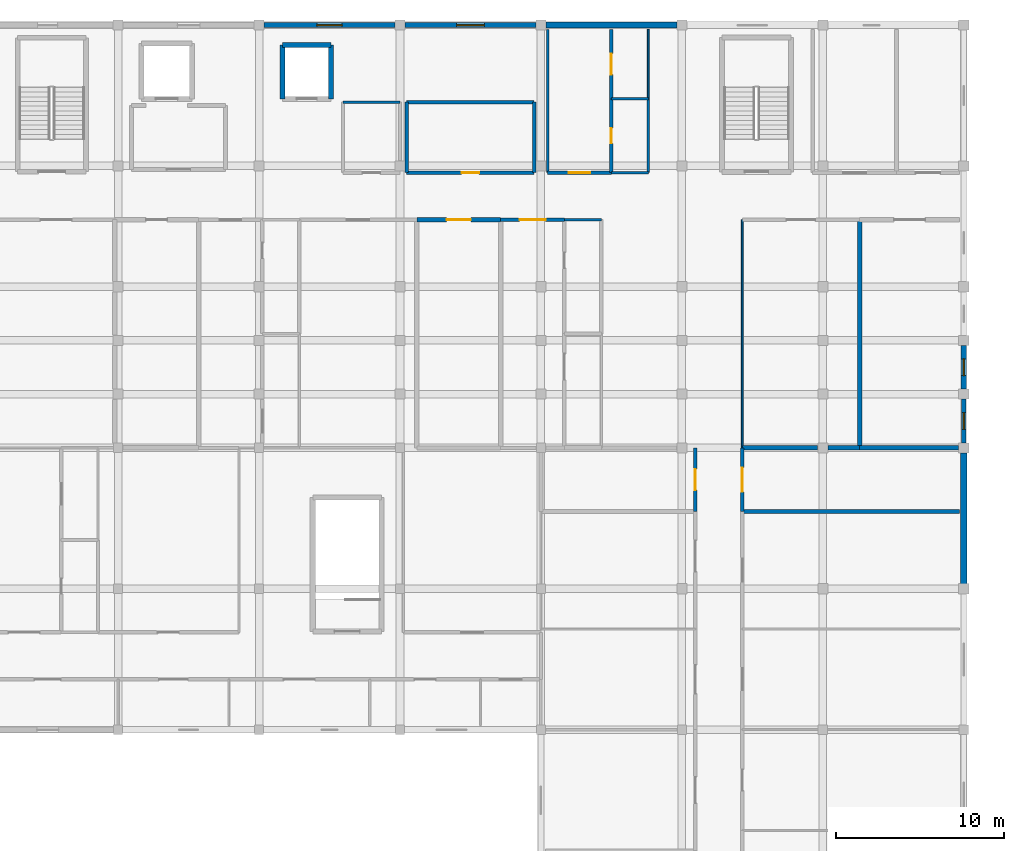
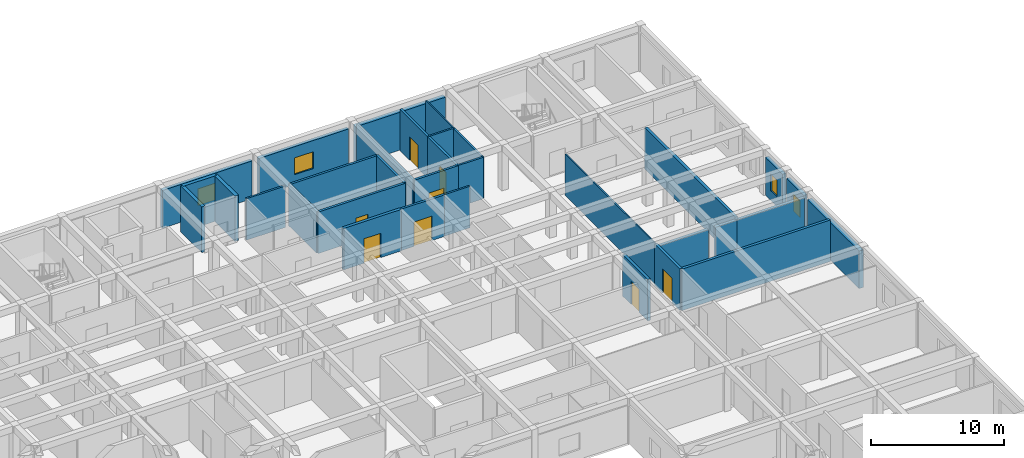
# One storey, part 29 of 42: 33 walls, 8 doors, 4 windows, 12 openings.
"""IFC4 building model written with IfcOpenShell, lengths in metres."""

from ifc_helpers import new_model, si_unit, direction, frame, frame_2d, origin, place, context, subcontext, project, spatial, rectangle, extrude, material, layer, layer_set, type_object, element, fill, save


model = new_model("IFC4")

# Units and contexts
model_context = context("Model", 3, precision=1e-05, world=origin(), true_north=direction((0.0, 1.0)))
body_context = subcontext(model_context, "Body", "Model", "MODEL_VIEW")
ifc_project = project(units=[si_unit("LENGTHUNIT", "METRE"), si_unit("AREAUNIT", "SQUARE_METRE"), si_unit("VOLUMEUNIT", "CUBIC_METRE"), si_unit("PLANEANGLEUNIT", "RADIAN"), si_unit("MASSUNIT", "GRAM", prefix="KILO")], contexts=[model_context])

# Site, building, storey
site_placement = place(None, origin())
site = spatial("IfcSite", under=ifc_project, at=site_placement, CompositionType="ELEMENT")
building_placement = place(site_placement, origin())
building = spatial("IfcBuilding", under=site, at=building_placement, Name="Varncliffe General Hospital", CompositionType="ELEMENT")
storey_placement = place(building_placement, frame((0.0, 0.0, 20.39990234375)))
storey = spatial("IfcBuildingStorey", under=building, at=storey_placement, Name="L04", CompositionType="ELEMENT", Elevation=20.39990234375)

# Wall, opening, window
ifc_material_1 = material(Name="Precast concrete C40/50 with insulated cream lime-cement stucco", Category="concrete")
ifc_layer_1 = layer(ifc_material_1, 0.31005859375)
ifc_layer_set_1 = layer_set([ifc_layer_1], Name="Precast concrete C40/50 with insulated cream lime-cement stucco")
wall_type_1 = type_object("IfcWallType", Name="Exterior Insulated Stucco Wall EW20 (310mm)", PredefinedType="SOLIDWALL", material=ifc_layer_set_1)
wall_1_placement = place(storey_placement, frame((134.697998046875, 124.800048828125, 0.0), z_axis=(0.0, 0.0, 1.0), x_axis=(1.0, 0.0, 0.0)))
wall_1 = element("IfcWall", 1, at=wall_1_placement, inside=storey, type_object=wall_type_1, Name="L04 Exterior Stucco Wall EW20-369", PredefinedType="SOLIDWALL", context=body_context, shape_type="SweptSolid", body=[
    extrude(rectangle(XDim=7.803955078125, YDim=0.31005859375, at=frame_2d((3.90185546875, 0.0))), origin(), (0.0, 0.0, 1.0), 3.47998046875),
])
opening_1_placement = place(wall_1_placement, frame((3.152099609375, 0.0, 0.89990234375)))
opening_1 = element("IfcOpeningElement", 2, at=opening_1_placement, cuts=wall_1, Name="Opening WN75", PredefinedType="OPENING", context=body_context, shape_type="SweptSolid", body=[
    extrude(rectangle(XDim=1.5, YDim=1.550048828125, at=frame_2d((0.75, 0.77490234375))), frame((0.0, 0.1650390625, 0.0), z_axis=(0.0, -1.0, 0.0), x_axis=(1.0, 0.0, 0.0)), (0.0, 0.0, 1.0), 0.330078125),
])
ifc_material_2 = material(Name="Triple low-E argon insulated vision glazing", Category="glass")
window_type_1 = type_object("IfcWindowType", Name="Triple-Glazed Hospital Window WN75 (1500x1550)", PartitioningType="SINGLE_PANEL", PredefinedType="WINDOW", material=ifc_material_2)
window_1_placement = place(opening_1_placement, origin())
window_1 = element("IfcWindow", 3, at=window_1_placement, inside=storey, type_object=window_type_1, Name="L04 Hospital Window WN75-276", OverallHeight=1.550048828125, OverallWidth=1.5, PartitioningType="SINGLE_PANEL", PredefinedType="WINDOW", context=body_context, shape_type="SweptSolid", body=[
    extrude(rectangle(XDim=1.5, YDim=1.550048828125, at=frame_2d((0.75, 0.77490234375))), frame((0.0, 0.030029296875, 0.0), z_axis=(0.0, -1.0, 0.0), x_axis=(1.0, 0.0, 0.0)), (0.0, 0.0, 1.0), 0.06005859375),
])
fill(opening_1, window_1)

wall_2_placement = place(storey_placement, frame((176.39990234375, 105.701904296875, 0.0), z_axis=(0.0, 0.0, 1.0), x_axis=(0.0, -1.0, 0.0)))
wall_2 = element("IfcWall", 4, at=wall_2_placement, inside=storey, type_object=wall_type_1, Name="L04 Exterior Stucco Wall EW20-377", PredefinedType="SOLIDWALL", context=body_context, shape_type="SweptSolid", body=[
    extrude(rectangle(XDim=2.60400390625, YDim=0.31005859375, at=frame_2d((1.302001953125, 0.0))), origin(), (0.0, 0.0, 1.0), 3.47998046875),
])
opening_2_placement = place(wall_2_placement, frame((0.802001953125, 0.0, 0.89990234375)))
opening_2 = element("IfcOpeningElement", 5, at=opening_2_placement, cuts=wall_2, Name="Opening WN21", PredefinedType="OPENING", context=body_context, shape_type="SweptSolid", body=[
    extrude(rectangle(XDim=1.0, YDim=1.550048828125, at=frame_2d((0.5, 0.77490234375))), frame((0.0, 0.1650390625, 0.0), z_axis=(0.0, -1.0, 0.0), x_axis=(1.0, 0.0, 0.0)), (0.0, 0.0, 1.0), 0.330078125),
])
window_type_2 = type_object("IfcWindowType", Name="Triple-Glazed Hospital Window WN21 (1000x1550)", PartitioningType="SINGLE_PANEL", PredefinedType="WINDOW", material=ifc_material_2)
window_2_placement = place(opening_2_placement, origin())
window_2 = element("IfcWindow", 6, at=window_2_placement, inside=storey, type_object=window_type_2, Name="L04 Hospital Window WN21-283", OverallHeight=1.550048828125, OverallWidth=1.0, PartitioningType="SINGLE_PANEL", PredefinedType="WINDOW", context=body_context, shape_type="SweptSolid", body=[
    extrude(rectangle(XDim=1.0, YDim=1.550048828125, at=frame_2d((0.5, 0.77490234375))), frame((0.0, 0.030029296875, 0.0), z_axis=(0.0, -1.0, 0.0), x_axis=(1.0, 0.0, 0.0)), (0.0, 0.0, 1.0), 0.06005859375),
])
fill(opening_2, window_2)

# Walls
ifc_layer_2 = layer(ifc_material_1, 0.3798828125)
ifc_layer_set_2 = layer_set([ifc_layer_2], Name="Precast concrete C40/50 with insulated cream lime-cement stucco")
wall_type_2 = type_object("IfcWallType", Name="Exterior Insulated Stucco Wall EW26 (380mm)", PredefinedType="SOLIDWALL", material=ifc_layer_set_2)
for number, where, z_axis, x_axis, name in (
    (7, (151.498046875, 124.800048828125, 0.0), (0.0, 0.0, 1.0), (1.0, 0.0, 0.0), "L04 Exterior Stucco Wall EW26-371"),
    (8, (176.39990234375, 99.302001953125, 0.0), (0.0, 0.0, 1.0), (0.0, -1.0, 0.0), "L04 Exterior Stucco Wall EW26-379"),
):
    element("IfcWall", number, at=place(storey_placement, frame(where, z_axis=z_axis, x_axis=x_axis)), inside=storey, type_object=wall_type_2, Name=name, PredefinedType="SOLIDWALL", context=body_context, shape_type="SweptSolid", body=[
        extrude(rectangle(XDim=7.803955078125, YDim=0.3798828125, at=frame_2d((3.90185546875, 0.0))), origin(), (0.0, 0.0, 1.0), 3.47998046875),
    ])

# Wall, opening, window
ifc_layer_3 = layer(ifc_material_1, 0.2900390625)
ifc_layer_set_3 = layer_set([ifc_layer_3], Name="Precast concrete C40/50 with insulated cream lime-cement stucco")
wall_type_3 = type_object("IfcWallType", Name="Exterior Insulated Stucco Wall EW31 (290mm)", PredefinedType="SOLIDWALL", material=ifc_layer_set_3)
wall_3_placement = place(storey_placement, frame((143.097900390625, 124.800048828125, 0.0), z_axis=(0.0, 0.0, 1.0), x_axis=(1.0, 0.0, 0.0)))
wall_3 = element("IfcWall", 9, at=wall_3_placement, inside=storey, type_object=wall_type_3, Name="L04 Exterior Stucco Wall EW31-370", PredefinedType="SOLIDWALL", context=body_context, shape_type="SweptSolid", body=[
    extrude(rectangle(XDim=7.80419921875, YDim=0.2900390625, at=frame_2d((3.902099609375, 0.0))), origin(), (0.0, 0.0, 1.0), 3.47998046875),
])
opening_3_placement = place(wall_3_placement, frame((3.076904296875, 0.0, 0.89990234375)))
opening_3 = element("IfcOpeningElement", 10, at=opening_3_placement, cuts=wall_3, Name="Opening WN20", PredefinedType="OPENING", context=body_context, shape_type="SweptSolid", body=[
    extrude(rectangle(XDim=1.64990234375, YDim=1.550048828125, at=frame_2d((0.824951171875, 0.77490234375))), frame((0.0, 0.155029296875, 0.0), z_axis=(0.0, -1.0, 0.0), x_axis=(1.0, 0.0, 0.0)), (0.0, 0.0, 1.0), 0.31005859375),
])
window_type_3 = type_object("IfcWindowType", Name="Triple-Glazed Hospital Window WN20 (1650x1550)", PartitioningType="DOUBLE_PANEL_VERTICAL", PredefinedType="WINDOW", material=ifc_material_2)
window_3_placement = place(opening_3_placement, origin())
window_3 = element("IfcWindow", 11, at=window_3_placement, inside=storey, type_object=window_type_3, Name="L04 Hospital Window WN20-277", OverallHeight=1.550048828125, OverallWidth=1.64990234375, PartitioningType="DOUBLE_PANEL_VERTICAL", PredefinedType="WINDOW", context=body_context, shape_type="SweptSolid", body=[
    extrude(rectangle(XDim=1.64990234375, YDim=1.550048828125, at=frame_2d((0.824951171875, 0.77490234375))), frame((0.0, 0.030029296875, 0.0), z_axis=(0.0, -1.0, 0.0), x_axis=(1.0, 0.0, 0.0)), (0.0, 0.0, 1.0), 0.06005859375),
])
fill(opening_3, window_3)

wall_4_placement = place(storey_placement, frame((176.39990234375, 102.501953125, 0.0), z_axis=(0.0, 0.0, 1.0), x_axis=(0.0, -1.0, 0.0)))
wall_4 = element("IfcWall", 12, at=wall_4_placement, inside=storey, type_object=wall_type_3, Name="L04 Exterior Stucco Wall EW31-378", PredefinedType="SOLIDWALL", context=body_context, shape_type="SweptSolid", body=[
    extrude(rectangle(XDim=2.60400390625, YDim=0.2900390625, at=frame_2d((1.302001953125, 0.0))), origin(), (0.0, 0.0, 1.0), 3.47998046875),
])
opening_4_placement = place(wall_4_placement, frame((0.802001953125, 0.0, 0.89990234375)))
opening_4 = element("IfcOpeningElement", 13, at=opening_4_placement, cuts=wall_4, Name="Opening WN21", PredefinedType="OPENING", context=body_context, shape_type="SweptSolid", body=[
    extrude(rectangle(XDim=1.0, YDim=1.550048828125, at=frame_2d((0.5, 0.77490234375))), frame((0.0, 0.155029296875, 0.0), z_axis=(0.0, -1.0, 0.0), x_axis=(1.0, 0.0, 0.0)), (0.0, 0.0, 1.0), 0.31005859375),
])
window_4_placement = place(opening_4_placement, origin())
window_4 = element("IfcWindow", 14, at=window_4_placement, inside=storey, type_object=window_type_2, Name="L04 Hospital Window WN21-284", OverallHeight=1.550048828125, OverallWidth=1.0, PartitioningType="SINGLE_PANEL", PredefinedType="WINDOW", context=body_context, shape_type="SweptSolid", body=[
    extrude(rectangle(XDim=1.0, YDim=1.550048828125, at=frame_2d((0.5, 0.77490234375))), frame((0.0, 0.030029296875, 0.0), z_axis=(0.0, -1.0, 0.0), x_axis=(1.0, 0.0, 0.0)), (0.0, 0.0, 1.0), 0.06005859375),
])
fill(opening_4, window_4)

# Walls
ifc_material_3 = material(Name="Acoustic clinical gypsum stud partition assembly", Category="gypsum")
ifc_layer_4 = layer(ifc_material_3, 0.14990234375)
ifc_layer_set_4 = layer_set([ifc_layer_4], Name="Acoustic clinical gypsum stud partition assembly")
wall_type_4 = type_object("IfcWallType", Name="Interior Partitioning IW35 (150mm)", PredefinedType="PARTITIONING", material=ifc_layer_set_4)
wall_5_placement = place(storey_placement, frame((151.60009765625, 116.0, 0.0), z_axis=(0.0, 0.0, 1.0), x_axis=(0.0, 1.0, 0.0)))
element("IfcWall", 15, at=wall_5_placement, inside=storey, type_object=wall_type_4, Name="L04 Interior Partition Wall IW35-1964", PredefinedType="PARTITIONING", context=body_context, shape_type="SweptSolid", body=[
    extrude(rectangle(XDim=8.5400390625, YDim=0.14990234375, at=frame_2d((4.27001953125, 0.0))), origin(), (0.0, 0.0, 1.0), 3.820068359375),
])
ifc_layer_5 = layer(ifc_material_3, 0.110107421875)
ifc_layer_set_5 = layer_set([ifc_layer_5], Name="Acoustic clinical gypsum stud partition assembly")
wall_type_5 = type_object("IfcWallType", Name="Interior Partitioning IW65 (110mm)", PredefinedType="PARTITIONING", material=ifc_layer_set_5)
wall_6_placement = place(storey_placement, frame((157.60009765625, 120.39990234375, 0.0), z_axis=(0.0, 0.0, 1.0), x_axis=(0.0, 1.0, 0.0)))
element("IfcWall", 16, at=wall_6_placement, inside=storey, type_object=wall_type_5, Name="L04 Interior Partition Wall IW65-1972", PredefinedType="PARTITIONING", context=body_context, shape_type="SweptSolid", body=[
    extrude(rectangle(XDim=4.14013671875, YDim=0.110107421875, at=frame_2d((2.070068359375, 0.0))), origin(), (0.0, 0.0, 1.0), 3.820068359375),
])
wall_7_placement = place(storey_placement, frame((163.199951171875, 99.60009765625, 0.0), z_axis=(0.0, 0.0, 1.0), x_axis=(0.0, 1.0, 0.0)))
element("IfcWall", 17, at=wall_7_placement, inside=storey, type_object=wall_type_5, Name="L04 Interior Partition Wall IW65-1997", PredefinedType="PARTITIONING", context=body_context, shape_type="SweptSolid", body=[
    extrude(rectangle(XDim=13.599853515625, YDim=0.110107421875, at=frame_2d((6.7998046875, 0.0))), origin(), (0.0, 0.0, 1.0), 3.820068359375),
])
ifc_material_4 = material(Name="Fire-rated gypsum and mineral-wool partition assembly", Category="gypsum")
ifc_layer_6 = layer(ifc_material_4, 0.25)
ifc_layer_set_6 = layer_set([ifc_layer_6], Name="Fire-rated gypsum and mineral-wool partition assembly")
wall_type_6 = type_object("IfcWallType", Name="Interior Partitioning PW38 (250mm)", PredefinedType="PARTITIONING", material=ifc_layer_set_6)
wall_8_placement = place(storey_placement, frame((163.199951171875, 99.60009765625, 0.0), z_axis=(0.0, 0.0, 1.0), x_axis=(1.0, 0.0, 0.0)))
element("IfcWall", 18, at=wall_8_placement, inside=storey, type_object=wall_type_6, Name="L04 Interior Partition Wall PW38-1769", PredefinedType="PARTITIONING", context=body_context, shape_type="SweptSolid", body=[
    extrude(rectangle(XDim=4.485107421875, YDim=0.25, at=frame_2d((2.24267578125, 0.0))), origin(), (0.0, 0.0, 1.0), 3.585205078125),
])
wall_9_placement = place(storey_placement, frame((168.31494140625, 99.60009765625, 0.0), z_axis=(0.0, 0.0, 1.0), x_axis=(1.0, 0.0, 0.0)))
element("IfcWall", 19, at=wall_9_placement, inside=storey, type_object=wall_type_6, Name="L04 Interior Partition Wall PW38-1770", PredefinedType="PARTITIONING", context=body_context, shape_type="SweptSolid", body=[
    extrude(rectangle(XDim=1.885009765625, YDim=0.25, at=frame_2d((0.9423828125, 0.0))), origin(), (0.0, 0.0, 1.0), 3.585205078125),
])
wall_10_placement = place(storey_placement, frame((170.199951171875, 99.60009765625, 0.0), z_axis=(0.0, 0.0, 1.0), x_axis=(1.0, 0.0, 0.0)))
element("IfcWall", 20, at=wall_10_placement, inside=storey, type_object=wall_type_6, Name="L04 Interior Partition Wall PW38-1771", PredefinedType="PARTITIONING", context=body_context, shape_type="SweptSolid", body=[
    extrude(rectangle(XDim=5.885009765625, YDim=0.25, at=frame_2d((2.9423828125, 0.0))), origin(), (0.0, 0.0, 1.0), 3.585205078125),
])

# Wall, opening, door
wall_11_placement = place(storey_placement, frame((143.800048828125, 113.199951171875, 0.0), z_axis=(0.0, 0.0, 1.0), x_axis=(1.0, 0.0, 0.0)))
wall_11 = element("IfcWall", 21, at=wall_11_placement, inside=storey, type_object=wall_type_6, Name="L04 Interior Partition Wall PW38-1805", PredefinedType="PARTITIONING", context=body_context, shape_type="SweptSolid", body=[
    extrude(rectangle(XDim=5.0, YDim=0.25, at=frame_2d((2.5, 0.0))), origin(), (0.0, 0.0, 1.0), 3.820068359375),
])
opening_5_placement = place(wall_11_placement, frame((1.77490234375, 0.0, 0.0)))
opening_5 = element("IfcOpeningElement", 22, at=opening_5_placement, cuts=wall_11, Name="Opening DC66", PredefinedType="OPENING", context=body_context, shape_type="SweptSolid", body=[
    extrude(rectangle(XDim=1.449951171875, YDim=2.25, at=frame_2d((0.72509765625, 1.125))), frame((0.0, 0.135009765625, 0.0), z_axis=(0.0, -1.0, 0.0), x_axis=(1.0, 0.0, 0.0)), (0.0, 0.0, 1.0), 0.27001953125),
])
ifc_material_5 = material(Name="Fire-rated hospital steel-frame vision-panel door", Category="steel")
door_type_1 = type_object("IfcDoorType", Name="Interior Hospital Door DC66 (1450x2250)", OperationType="NOTDEFINED", PredefinedType="DOOR", material=ifc_material_5)
door_1_placement = place(opening_5_placement, frame((1.449951171875, 0.0, 0.0), z_axis=(0.0, 0.0, 1.0), x_axis=(-1.0, 0.0, 0.0)))
door_1 = element("IfcDoor", 23, at=door_1_placement, inside=storey, type_object=door_type_1, Name="L04 Ward Soiled Utility Store 104 Door", OperationType="SINGLE_SWING_RIGHT", OverallHeight=2.25, OverallWidth=1.449951171875, PredefinedType="DOOR", context=body_context, shape_type="SweptSolid", body=[
    extrude(rectangle(XDim=1.449951171875, YDim=2.25, at=frame_2d((0.72509765625, 1.125))), frame((0.0, 0.02490234375, 0.0), z_axis=(0.0, -1.0, 0.0), x_axis=(1.0, 0.0, 0.0)), (0.0, 0.0, 1.0), 0.050048828125),
])
fill(opening_5, door_1)

# Walls
wall_12_placement = place(storey_placement, frame((170.199951171875, 99.60009765625, 0.0), z_axis=(0.0, 0.0, 1.0), x_axis=(0.0, 1.0, 0.0)))
element("IfcWall", 24, at=wall_12_placement, inside=storey, type_object=wall_type_6, Name="L04 Interior Partition Wall PW38-1999", PredefinedType="PARTITIONING", context=body_context, shape_type="SweptSolid", body=[
    extrude(rectangle(XDim=13.599853515625, YDim=0.25, at=frame_2d((6.7998046875, 0.0))), origin(), (0.0, 0.0, 1.0), 3.820068359375),
])
ifc_layer_7 = layer(ifc_material_4, 0.22998046875)
ifc_layer_set_7 = layer_set([ifc_layer_7], Name="Fire-rated gypsum and mineral-wool partition assembly")
wall_type_7 = type_object("IfcWallType", Name="Interior Partitioning PW48 (230mm)", PredefinedType="PARTITIONING", material=ifc_layer_set_7)
wall_13_placement = place(storey_placement, frame((163.199951171875, 95.800048828125, 0.0), z_axis=(0.0, 0.0, 1.0), x_axis=(1.0, 0.0, 0.0)))
element("IfcWall", 25, at=wall_13_placement, inside=storey, type_object=wall_type_7, Name="L04 Interior Partition Wall PW48-1734", PredefinedType="PARTITIONING", context=body_context, shape_type="SweptSolid", body=[
    extrude(rectangle(XDim=12.93994140625, YDim=0.22998046875, at=frame_2d((6.469970703125, 0.0))), origin(), (0.0, 0.0, 1.0), 3.820068359375),
])

# Wall, opening, door
wall_14_placement = place(storey_placement, frame((160.39990234375, 95.800048828125, 0.0), z_axis=(0.0, 0.0, 1.0), x_axis=(0.0, 1.0, 0.0)))
wall_14 = element("IfcWall", 26, at=wall_14_placement, inside=storey, type_object=wall_type_7, Name="L04 Interior Partition Wall PW48-1986", PredefinedType="PARTITIONING", context=body_context, shape_type="SweptSolid", body=[
    extrude(rectangle(XDim=3.800048828125, YDim=0.22998046875, at=frame_2d((1.89990234375, 0.0))), origin(), (0.0, 0.0, 1.0), 3.820068359375),
])
opening_6_placement = place(wall_14_placement, frame((1.27490234375, 0.0, 0.0)))
opening_6 = element("IfcOpeningElement", 27, at=opening_6_placement, cuts=wall_14, Name="Opening DC44", PredefinedType="OPENING", context=body_context, shape_type="SweptSolid", body=[
    extrude(rectangle(XDim=1.25, YDim=2.14990234375, at=frame_2d((0.625, 1.074951171875))), frame((0.0, 0.125, 0.0), z_axis=(0.0, -1.0, 0.0), x_axis=(1.0, 0.0, 0.0)), (0.0, 0.0, 1.0), 0.25),
])
door_type_2 = type_object("IfcDoorType", Name="Interior Hospital Door DC44 (1250x2150)", OperationType="NOTDEFINED", PredefinedType="DOOR", material=ifc_material_5)
door_2_placement = place(opening_6_placement, origin())
door_2 = element("IfcDoor", 28, at=door_2_placement, inside=storey, type_object=door_type_2, Name="L04 Ward Soiled Utility Store 131 Door", OperationType="SINGLE_SWING_LEFT", OverallHeight=2.14990234375, OverallWidth=1.25, PredefinedType="DOOR", context=body_context, shape_type="SweptSolid", body=[
    extrude(rectangle(XDim=1.25, YDim=2.14990234375, at=frame_2d((0.625, 1.074951171875))), frame((0.0, 0.02490234375, 0.0), z_axis=(0.0, -1.0, 0.0), x_axis=(1.0, 0.0, 0.0)), (0.0, 0.0, 1.0), 0.050048828125),
])
fill(opening_6, door_2)

wall_15_placement = place(storey_placement, frame((163.199951171875, 95.800048828125, 0.0), z_axis=(0.0, 0.0, 1.0), x_axis=(0.0, 1.0, 0.0)))
wall_15 = element("IfcWall", 29, at=wall_15_placement, inside=storey, type_object=wall_type_7, Name="L04 Interior Partition Wall PW48-1996", PredefinedType="PARTITIONING", context=body_context, shape_type="SweptSolid", body=[
    extrude(rectangle(XDim=3.800048828125, YDim=0.22998046875, at=frame_2d((1.89990234375, 0.0))), origin(), (0.0, 0.0, 1.0), 3.820068359375),
])
opening_7_placement = place(wall_15_placement, frame((1.175048828125, 0.0, 0.0)))
opening_7 = element("IfcOpeningElement", 30, at=opening_7_placement, cuts=wall_15, Name="Opening DC66", PredefinedType="OPENING", context=body_context, shape_type="SweptSolid", body=[
    extrude(rectangle(XDim=1.449951171875, YDim=2.25, at=frame_2d((0.72509765625, 1.125))), frame((0.0, 0.125, 0.0), z_axis=(0.0, -1.0, 0.0), x_axis=(1.0, 0.0, 0.0)), (0.0, 0.0, 1.0), 0.25),
])
door_3_placement = place(opening_7_placement, frame((1.449951171875, 0.0, 0.0), z_axis=(0.0, 0.0, 1.0), x_axis=(-1.0, 0.0, 0.0)))
door_3 = element("IfcDoor", 31, at=door_3_placement, inside=storey, type_object=door_type_1, Name="L04 Ward Soiled Utility Store 134 Door", OperationType="SINGLE_SWING_LEFT", OverallHeight=2.25, OverallWidth=1.449951171875, PredefinedType="DOOR", context=body_context, shape_type="SweptSolid", body=[
    extrude(rectangle(XDim=1.449951171875, YDim=2.25, at=frame_2d((0.72509765625, 1.125))), frame((0.0, 0.02490234375, 0.0), z_axis=(0.0, -1.0, 0.0), x_axis=(1.0, 0.0, 0.0)), (0.0, 0.0, 1.0), 0.050048828125),
])
fill(opening_7, door_3)

ifc_layer_8 = layer(ifc_material_4, 0.199951171875)
ifc_layer_set_8 = layer_set([ifc_layer_8], Name="Fire-rated gypsum and mineral-wool partition assembly")
wall_type_8 = type_object("IfcWallType", Name="Interior Partitioning PW63 (200mm)", PredefinedType="PARTITIONING", material=ifc_layer_set_8)
wall_16_placement = place(storey_placement, frame((148.800048828125, 113.199951171875, 0.0), z_axis=(0.0, 0.0, 1.0), x_axis=(1.0, 0.0, 0.0)))
wall_16 = element("IfcWall", 32, at=wall_16_placement, inside=storey, type_object=wall_type_8, Name="L04 Interior Partition Wall PW63-1806", PredefinedType="PARTITIONING", context=body_context, shape_type="SweptSolid", body=[
    extrude(rectangle(XDim=3.800048828125, YDim=0.199951171875, at=frame_2d((1.89990234375, 0.0))), origin(), (0.0, 0.0, 1.0), 3.820068359375),
])
opening_8_placement = place(wall_16_placement, frame((1.125, 0.0, 0.0)))
opening_8 = element("IfcOpeningElement", 33, at=opening_8_placement, cuts=wall_16, Name="Opening DC67", PredefinedType="OPENING", context=body_context, shape_type="SweptSolid", body=[
    extrude(rectangle(XDim=1.550048828125, YDim=2.25, at=frame_2d((0.77490234375, 1.125))), frame((0.0, 0.10986328125, 0.0), z_axis=(0.0, -1.0, 0.0), x_axis=(1.0, 0.0, 0.0)), (0.0, 0.0, 1.0), 0.219970703125),
])
door_type_3 = type_object("IfcDoorType", Name="Interior Hospital Door DC67 (1550x2250)", OperationType="NOTDEFINED", PredefinedType="DOOR", material=ifc_material_5)
door_4_placement = place(opening_8_placement, frame((1.550048828125, 0.0, 0.0), z_axis=(0.0, 0.0, 1.0), x_axis=(-1.0, 0.0, 0.0)))
door_4 = element("IfcDoor", 34, at=door_4_placement, inside=storey, type_object=door_type_3, Name="L04 Cardiology Telemetry Inpatient Room 105 Door", OperationType="SINGLE_SWING_LEFT", OverallHeight=2.25, OverallWidth=1.550048828125, PredefinedType="DOOR", context=body_context, shape_type="SweptSolid", body=[
    extrude(rectangle(XDim=1.550048828125, YDim=2.25, at=frame_2d((0.77490234375, 1.125))), frame((0.0, 0.02490234375, 0.0), z_axis=(0.0, -1.0, 0.0), x_axis=(1.0, 0.0, 0.0)), (0.0, 0.0, 1.0), 0.050048828125),
])
fill(opening_8, door_4)

wall_17_placement = place(storey_placement, frame((143.199951171875, 116.0, 0.0), z_axis=(0.0, 0.0, 1.0), x_axis=(1.0, 0.0, 0.0)))
wall_17 = element("IfcWall", 35, at=wall_17_placement, inside=storey, type_object=wall_type_8, Name="L04 Interior Partition Wall PW63-1819", PredefinedType="PARTITIONING", context=body_context, shape_type="SweptSolid", body=[
    extrude(rectangle(XDim=7.60009765625, YDim=0.199951171875, at=frame_2d((3.800048828125, 0.0))), origin(), (0.0, 0.0, 1.0), 3.820068359375),
])
opening_9_placement = place(wall_17_placement, frame((3.280029296875, 0.0, 0.0)))
opening_9 = element("IfcOpeningElement", 36, at=opening_9_placement, cuts=wall_17, Name="Opening DI77", PredefinedType="OPENING", context=body_context, shape_type="SweptSolid", body=[
    extrude(rectangle(XDim=1.0400390625, YDim=2.10009765625, at=frame_2d((0.52001953125, 1.050048828125))), frame((0.0, 0.10986328125, 0.0), z_axis=(0.0, -1.0, 0.0), x_axis=(1.0, 0.0, 0.0)), (0.0, 0.0, 1.0), 0.219970703125),
])
ifc_material_6 = material(Name="Solid-core antimicrobial hospital oak veneer door", Category="wood")
door_type_4 = type_object("IfcDoorType", Name="Interior Hospital Door DI77 (1040x2100)", OperationType="NOTDEFINED", PredefinedType="DOOR", material=ifc_material_6)
door_5_placement = place(opening_9_placement, origin())
door_5 = element("IfcDoor", 37, at=door_5_placement, inside=storey, type_object=door_type_4, Name="L04 Staff and Visitor WC L04-NE Door", OperationType="SINGLE_SWING_LEFT", OverallHeight=2.10009765625, OverallWidth=1.0400390625, PredefinedType="DOOR", context=body_context, shape_type="SweptSolid", body=[
    extrude(rectangle(XDim=1.0400390625, YDim=2.10009765625, at=frame_2d((0.52001953125, 1.050048828125))), frame((0.0, 0.02490234375, 0.0), z_axis=(0.0, -1.0, 0.0), x_axis=(1.0, 0.0, 0.0)), (0.0, 0.0, 1.0), 0.050048828125),
])
fill(opening_9, door_5)

wall_18_placement = place(storey_placement, frame((151.60009765625, 116.0, 0.0), z_axis=(0.0, 0.0, 1.0), x_axis=(1.0, 0.0, 0.0)))
wall_18 = element("IfcWall", 38, at=wall_18_placement, inside=storey, type_object=wall_type_8, Name="L04 Interior Partition Wall PW63-1820", PredefinedType="PARTITIONING", context=body_context, shape_type="SweptSolid", body=[
    extrude(rectangle(XDim=3.7998046875, YDim=0.199951171875, at=frame_2d((1.89990234375, 0.0))), origin(), (0.0, 0.0, 1.0), 3.820068359375),
])
opening_10_placement = place(wall_18_placement, frame((1.25, 0.0, 0.0)))
opening_10 = element("IfcOpeningElement", 39, at=opening_10_placement, cuts=wall_18, Name="Opening DC88", PredefinedType="OPENING", context=body_context, shape_type="SweptSolid", body=[
    extrude(rectangle(XDim=1.300048828125, YDim=2.199951171875, at=frame_2d((0.64990234375, 1.10009765625))), frame((0.0, 0.10986328125, 0.0), z_axis=(0.0, -1.0, 0.0), x_axis=(1.0, 0.0, 0.0)), (0.0, 0.0, 1.0), 0.219970703125),
])
door_type_5 = type_object("IfcDoorType", Name="Interior Hospital Door DC88 (1300x2200)", OperationType="NOTDEFINED", PredefinedType="DOOR", material=ifc_material_5)
door_6_placement = place(opening_10_placement, origin())
door_6 = element("IfcDoor", 40, at=door_6_placement, inside=storey, type_object=door_type_5, Name="L04 Cardiology Telemetry Inpatient Room 118 Door", OperationType="SINGLE_SWING_RIGHT", OverallHeight=2.199951171875, OverallWidth=1.300048828125, PredefinedType="DOOR", context=body_context, shape_type="SweptSolid", body=[
    extrude(rectangle(XDim=1.300048828125, YDim=2.199951171875, at=frame_2d((0.64990234375, 1.10009765625))), frame((0.0, 0.02490234375, 0.0), z_axis=(0.0, -1.0, 0.0), x_axis=(1.0, 0.0, 0.0)), (0.0, 0.0, 1.0), 0.050048828125),
])
fill(opening_10, door_6)

wall_19_placement = place(storey_placement, frame((155.39990234375, 116.0, 0.0), z_axis=(0.0, 0.0, 1.0), x_axis=(0.0, 1.0, 0.0)))
wall_19 = element("IfcWall", 41, at=wall_19_placement, inside=storey, type_object=wall_type_8, Name="L04 Interior Partition Wall PW63-1969", PredefinedType="PARTITIONING", context=body_context, shape_type="SweptSolid", body=[
    extrude(rectangle(XDim=4.39990234375, YDim=0.199951171875, at=frame_2d((2.199951171875, 0.0))), origin(), (0.0, 0.0, 1.0), 3.820068359375),
])
opening_11_placement = place(wall_19_placement, frame((1.739990234375, 0.0, 0.0)))
opening_11 = element("IfcOpeningElement", 42, at=opening_11_placement, cuts=wall_19, Name="Opening DI70", PredefinedType="OPENING", context=body_context, shape_type="SweptSolid", body=[
    extrude(rectangle(XDim=0.919921875, YDim=2.10009765625, at=frame_2d((0.4599609375, 1.050048828125))), frame((0.0, 0.10986328125, 0.0), z_axis=(0.0, -1.0, 0.0), x_axis=(1.0, 0.0, 0.0)), (0.0, 0.0, 1.0), 0.219970703125),
])
door_type_6 = type_object("IfcDoorType", Name="Interior Hospital Door DI70 (920x2100)", OperationType="NOTDEFINED", PredefinedType="DOOR", material=ifc_material_6)
door_7_placement = place(opening_11_placement, frame((0.919921875, 0.0, 0.0), z_axis=(0.0, 0.0, 1.0), x_axis=(-1.0, 0.0, 0.0)))
door_7 = element("IfcDoor", 43, at=door_7_placement, inside=storey, type_object=door_type_6, Name="L04 En-Suite Bathroom 119 Door", OperationType="SINGLE_SWING_RIGHT", OverallHeight=2.10009765625, OverallWidth=0.919921875, PredefinedType="DOOR", context=body_context, shape_type="SweptSolid", body=[
    extrude(rectangle(XDim=0.919921875, YDim=2.10009765625, at=frame_2d((0.4599609375, 1.050048828125))), frame((0.0, 0.02490234375, 0.0), z_axis=(0.0, -1.0, 0.0), x_axis=(1.0, 0.0, 0.0)), (0.0, 0.0, 1.0), 0.050048828125),
])
fill(opening_11, door_7)

wall_20_placement = place(storey_placement, frame((155.39990234375, 120.39990234375, 0.0), z_axis=(0.0, 0.0, 1.0), x_axis=(0.0, 1.0, 0.0)))
wall_20 = element("IfcWall", 44, at=wall_20_placement, inside=storey, type_object=wall_type_8, Name="L04 Interior Partition Wall PW63-1970", PredefinedType="PARTITIONING", context=body_context, shape_type="SweptSolid", body=[
    extrude(rectangle(XDim=4.14013671875, YDim=0.199951171875, at=frame_2d((2.070068359375, 0.0))), origin(), (0.0, 0.0, 1.0), 3.820068359375),
])
opening_12_placement = place(wall_20_placement, frame((1.445068359375, 0.0, 0.0)))
opening_12 = element("IfcOpeningElement", 45, at=opening_12_placement, cuts=wall_20, Name="Opening DC44", PredefinedType="OPENING", context=body_context, shape_type="SweptSolid", body=[
    extrude(rectangle(XDim=1.25, YDim=2.14990234375, at=frame_2d((0.625, 1.074951171875))), frame((0.0, 0.10986328125, 0.0), z_axis=(0.0, -1.0, 0.0), x_axis=(1.0, 0.0, 0.0)), (0.0, 0.0, 1.0), 0.219970703125),
])
door_8_placement = place(opening_12_placement, frame((1.25, 0.0, 0.0), z_axis=(0.0, 0.0, 1.0), x_axis=(-1.0, 0.0, 0.0)))
door_8 = element("IfcDoor", 46, at=door_8_placement, inside=storey, type_object=door_type_2, Name="L04 Patient Medication and Hygiene Bay 120 Door", OperationType="SINGLE_SWING_LEFT", OverallHeight=2.14990234375, OverallWidth=1.25, PredefinedType="DOOR", context=body_context, shape_type="SweptSolid", body=[
    extrude(rectangle(XDim=1.25, YDim=2.14990234375, at=frame_2d((0.625, 1.074951171875))), frame((0.0, 0.02490234375, 0.0), z_axis=(0.0, -1.0, 0.0), x_axis=(1.0, 0.0, 0.0)), (0.0, 0.0, 1.0), 0.050048828125),
])
fill(opening_12, door_8)

# Walls
ifc_material_7 = material(Name="Moisture-resistant plumbing chase wall assembly", Category="gypsum")
ifc_layer_9 = layer(ifc_material_7, 0.18994140625)
ifc_layer_set_9 = layer_set([ifc_layer_9], Name="Moisture-resistant plumbing chase wall assembly")
wall_type_9 = type_object("IfcWallType", Name="Interior Plumbingwall MW17 (190mm)", PredefinedType="PLUMBINGWALL", material=ifc_layer_set_9)
wall_21_placement = place(storey_placement, frame((143.199951171875, 120.199951171875, 0.0), z_axis=(0.0, 0.0, 1.0), x_axis=(1.0, 0.0, 0.0)))
element("IfcWall", 47, at=wall_21_placement, inside=storey, type_object=wall_type_9, Name="L04 Interior Plumbing Wall MW17-1836", PredefinedType="PLUMBINGWALL", context=body_context, shape_type="SweptSolid", body=[
    extrude(rectangle(XDim=7.60009765625, YDim=0.18994140625, at=frame_2d((3.800048828125, 0.0))), origin(), (0.0, 0.0, 1.0), 3.820068359375),
])
for number, where, z_axis, x_axis, name in (
    (48, (143.199951171875, 116.0, 0.0), (0.0, 0.0, 1.0), (0.0, 1.0, 0.0), "L04 Interior Plumbing Wall MW17-1954"),
    (49, (150.800048828125, 116.0, 0.0), (0.0, 0.0, 1.0), (0.0, 1.0, 0.0), "L04 Interior Plumbing Wall MW17-1958"),
):
    element("IfcWall", number, at=place(storey_placement, frame(where, z_axis=z_axis, x_axis=x_axis)), inside=storey, type_object=wall_type_9, Name=name, PredefinedType="PLUMBINGWALL", context=body_context, shape_type="SweptSolid", body=[
        extrude(rectangle(XDim=4.199951171875, YDim=0.18994140625, at=frame_2d((2.10009765625, 0.0))), origin(), (0.0, 0.0, 1.0), 3.820068359375),
    ])
ifc_layer_10 = layer(ifc_material_7, 0.159912109375)
ifc_layer_set_10 = layer_set([ifc_layer_10], Name="Moisture-resistant plumbing chase wall assembly")
wall_type_10 = type_object("IfcWallType", Name="Interior Plumbingwall MW31 (160mm)", PredefinedType="PLUMBINGWALL", material=ifc_layer_set_10)
wall_22_placement = place(storey_placement, frame((152.60009765625, 113.199951171875, 0.0), z_axis=(0.0, 0.0, 1.0), x_axis=(1.0, 0.0, 0.0)))
element("IfcWall", 50, at=wall_22_placement, inside=storey, type_object=wall_type_10, Name="L04 Interior Plumbing Wall MW31-1807", PredefinedType="PLUMBINGWALL", context=body_context, shape_type="SweptSolid", body=[
    extrude(rectangle(XDim=2.199951171875, YDim=0.159912109375, at=frame_2d((1.10009765625, 0.0))), origin(), (0.0, 0.0, 1.0), 3.820068359375),
])
wall_23_placement = place(storey_placement, frame((155.39990234375, 116.0, 0.0), z_axis=(0.0, 0.0, 1.0), x_axis=(1.0, 0.0, 0.0)))
element("IfcWall", 51, at=wall_23_placement, inside=storey, type_object=wall_type_10, Name="L04 Interior Plumbing Wall MW31-1821", PredefinedType="PLUMBINGWALL", context=body_context, shape_type="SweptSolid", body=[
    extrude(rectangle(XDim=2.2001953125, YDim=0.159912109375, at=frame_2d((1.10009765625, 0.0))), origin(), (0.0, 0.0, 1.0), 3.820068359375),
])
wall_24_placement = place(storey_placement, frame((139.39990234375, 120.199951171875, 0.0), z_axis=(0.0, 0.0, 1.0), x_axis=(1.0, 0.0, 0.0)))
element("IfcWall", 52, at=wall_24_placement, inside=storey, type_object=wall_type_10, Name="L04 Interior Plumbing Wall MW31-1835", PredefinedType="PLUMBINGWALL", context=body_context, shape_type="SweptSolid", body=[
    extrude(rectangle(XDim=3.400146484375, YDim=0.159912109375, at=frame_2d((1.7001953125, 0.0))), origin(), (0.0, 0.0, 1.0), 3.820068359375),
])
wall_25_placement = place(storey_placement, frame((155.39990234375, 120.39990234375, 0.0), z_axis=(0.0, 0.0, 1.0), x_axis=(1.0, 0.0, 0.0)))
element("IfcWall", 53, at=wall_25_placement, inside=storey, type_object=wall_type_10, Name="L04 Interior Plumbing Wall MW31-1839", PredefinedType="PLUMBINGWALL", context=body_context, shape_type="SweptSolid", body=[
    extrude(rectangle(XDim=2.2001953125, YDim=0.159912109375, at=frame_2d((1.10009765625, 0.0))), origin(), (0.0, 0.0, 1.0), 3.820068359375),
])
wall_26_placement = place(storey_placement, frame((157.60009765625, 116.0, 0.0), z_axis=(0.0, 0.0, 1.0), x_axis=(0.0, 1.0, 0.0)))
element("IfcWall", 54, at=wall_26_placement, inside=storey, type_object=wall_type_10, Name="L04 Interior Plumbing Wall MW31-1971", PredefinedType="PLUMBINGWALL", context=body_context, shape_type="SweptSolid", body=[
    extrude(rectangle(XDim=4.39990234375, YDim=0.159912109375, at=frame_2d((2.199951171875, 0.0))), origin(), (0.0, 0.0, 1.0), 3.820068359375),
])
ifc_material_8 = material(Name="Concrete C40/50 (CSA A23.1 40 MPa)", Category="concrete")
ifc_layer_11 = layer(ifc_material_8, 0.300048828125)
ifc_layer_set_11 = layer_set([ifc_layer_11], Name="Concrete C40/50 (CSA A23.1 40 MPa)")
wall_type_11 = type_object("IfcWallType", Name="Reinforced Concrete Core Shear Wall CW12 (300mm)", PredefinedType="SHEAR", material=ifc_layer_set_11)
wall_27_placement = place(storey_placement, frame((138.699951171875, 120.39990234375, 0.0), z_axis=(0.0, 0.0, 1.0), x_axis=(0.0, 1.0, 0.0)))
element("IfcWall", 55, at=wall_27_placement, inside=storey, type_object=wall_type_11, Name="L04 LF05 Elevator Shaft Wall East", PredefinedType="SHEAR", context=body_context, shape_type="SweptSolid", body=[
    extrude(rectangle(XDim=3.2001953125, YDim=0.300048828125, at=frame_2d((1.60009765625, 0.0))), origin(), (0.0, 0.0, 1.0), 4.2001953125),
])
wall_28_placement = place(storey_placement, frame((138.699951171875, 123.60009765625, 0.0), z_axis=(0.0, 0.0, 1.0), x_axis=(-1.0, 0.0, 0.0)))
element("IfcWall", 56, at=wall_28_placement, inside=storey, type_object=wall_type_11, Name="L04 LF05 Elevator Shaft Wall North", PredefinedType="SHEAR", context=body_context, shape_type="SweptSolid", body=[
    extrude(rectangle(XDim=2.89990234375, YDim=0.300048828125, at=frame_2d((1.449951171875, 0.0))), origin(), (0.0, 0.0, 1.0), 4.2001953125),
])
wall_29_placement = place(storey_placement, frame((135.800048828125, 123.60009765625, 0.0), z_axis=(0.0, 0.0, 1.0), x_axis=(0.0, -1.0, 0.0)))
element("IfcWall", 57, at=wall_29_placement, inside=storey, type_object=wall_type_11, Name="L04 LF05 Elevator Shaft Wall West", PredefinedType="SHEAR", context=body_context, shape_type="SweptSolid", body=[
    extrude(rectangle(XDim=3.2001953125, YDim=0.300048828125, at=frame_2d((1.60009765625, 0.0))), origin(), (0.0, 0.0, 1.0), 4.2001953125),
])

save(model, "model.ifc")
